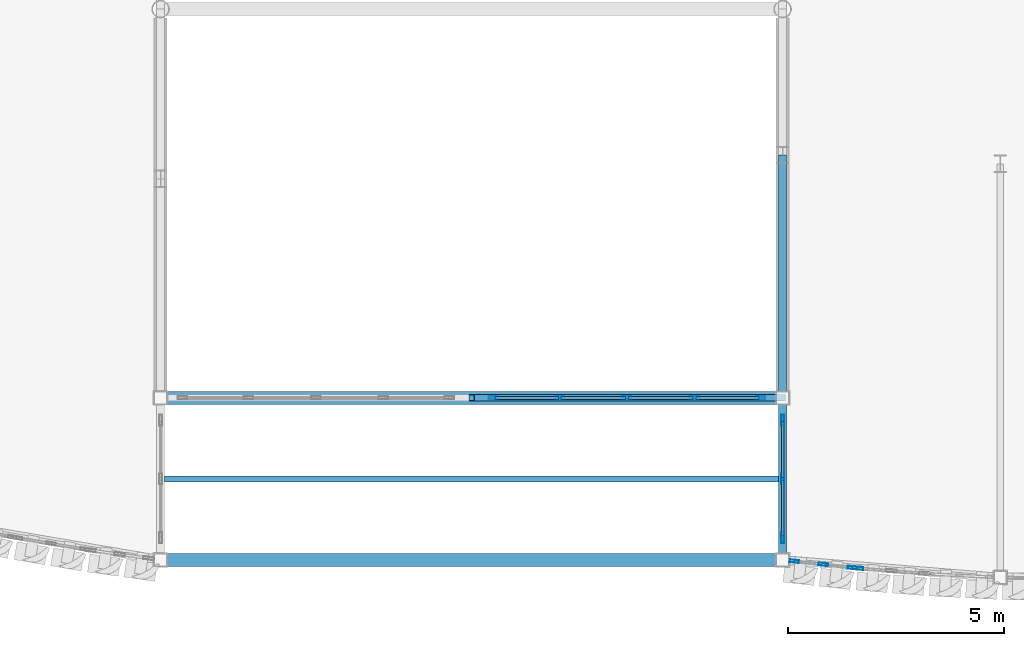
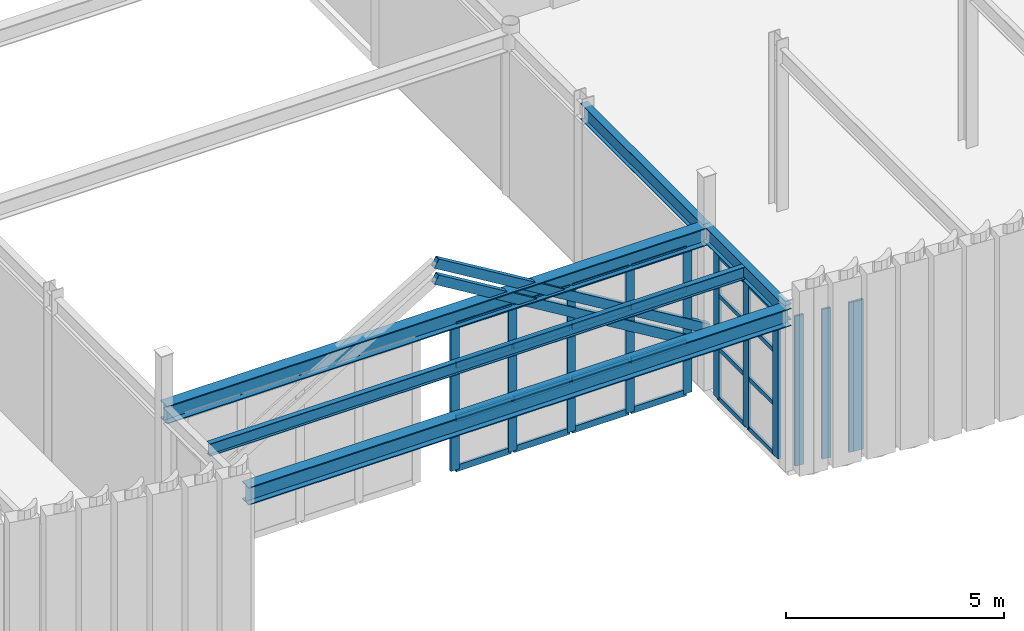
# One storey, part 43 of 126: 38 members, 5 beams, 4 elements without a shape of their own.
"""IFC4 building model written with IfcOpenShell, lengths in metres."""

from ifc_helpers import new_model, si_unit, direction, frame, origin, origin_2d, place, context, subcontext, project, spatial, hollow_rectangle, i_section, extrude, material, layer, layer_set, material_profile, profile_set, type_object, element, aggregate, save


model = new_model("IFC4")

# Units and contexts
model_context = context("Model", 3, precision=1e-05, world=origin(), true_north=direction((0.0, 1.0)))
body_context = subcontext(model_context, "Body", "Model", "MODEL_VIEW")
ifc_project = project(units=[si_unit("LENGTHUNIT", "METRE"), si_unit("AREAUNIT", "SQUARE_METRE"), si_unit("VOLUMEUNIT", "CUBIC_METRE"), si_unit("PLANEANGLEUNIT", "RADIAN"), si_unit("MASSUNIT", "GRAM", prefix="KILO")], contexts=[model_context])

# Site, building, storey
site_placement = place(None, origin())
site = spatial("IfcSite", under=ifc_project, at=site_placement, CompositionType="ELEMENT")
building_placement = place(site_placement, origin())
building = spatial("IfcBuilding", under=site, at=building_placement, Name="Solvadek Multi-Sports Hall", CompositionType="ELEMENT")
storey_placement = place(building_placement, frame((0.0, 0.0, 9.60009765625)))
storey = spatial("IfcBuildingStorey", under=building, at=storey_placement, Name="L02", CompositionType="ELEMENT", Elevation=9.60009765625)

# Curtain wall, members
ifc_material_1 = material(Name="Anodised aluminium", Category="aluminium")
ifc_layer_1 = layer(ifc_material_1, 0.159912109375, Name="Anodised aluminium")
ifc_layer_set_1 = layer_set([ifc_layer_1], Name="Anodised aluminium")
curtain_wall_type_1 = type_object("IfcCurtainWallType", Name="ENV-CW-142X420", PredefinedType="USERDEFINED", material=ifc_layer_set_1)
curtain_wall_1_placement = place(storey_placement, origin())
curtain_wall_1 = element("IfcCurtainWall", 1, at=curtain_wall_1_placement, inside=storey, type_object=curtain_wall_type_1, Name="L02 Crescent Curved Curtain Wall #56", ObjectType="CURTAIN WALL", PredefinedType="USERDEFINED")
ifc_material_profile_1 = material_profile(ifc_material_1, hollow_rectangle(XDim=0.06494140625, YDim=0.219970703125, WallThickness=0.0048828125, at=origin_2d()), Name="ALU-M 220x65x5")
ifc_profile_set_1 = profile_set([ifc_material_profile_1], Name="Anodised aluminium")
member_type_1 = type_object("IfcMemberType", Name="ENV-CWM-04", PredefinedType="MULLION", material=ifc_profile_set_1)
member_1_placement = place(storey_placement, frame((86.6708984375, -12.78271484375, 0.0), z_axis=(0.0, 0.0, 1.0), x_axis=(0.109287601694, 0.994010171032, 0.0)))
member_1 = element("IfcMember", 2, at=member_1_placement, type_object=member_type_1, Name="CW-27 mullion 1", PredefinedType="MULLION", context=body_context, shape_type="SweptSolid", body=[
    extrude(hollow_rectangle(XDim=0.06494140625, YDim=0.219970703125, WallThickness=0.0048828125, at=origin_2d()), origin(), (0.0, 0.0, 1.0), 4.199951171875),
])
member_2_placement = place(storey_placement, frame((87.344482421875, -12.856689453125, 0.0), z_axis=(0.0, 0.0, 1.0), x_axis=(0.109287601694, 0.994010171032, 0.0)))
member_2 = element("IfcMember", 3, at=member_2_placement, type_object=member_type_1, Name="CW-27 mullion 2", PredefinedType="MULLION", context=body_context, shape_type="SweptSolid", body=[
    extrude(hollow_rectangle(XDim=0.06494140625, YDim=0.219970703125, WallThickness=0.0048828125, at=origin_2d()), origin(), (0.0, 0.0, 1.0), 4.199951171875),
])
member_3_placement = place(storey_placement, frame((88.017822265625, -12.9306640625, 0.0), z_axis=(0.0, 0.0, 1.0), x_axis=(0.109287601694, 0.994010171032, 0.0)))
member_3 = element("IfcMember", 4, at=member_3_placement, type_object=member_type_1, Name="CW-27 mullion 3", PredefinedType="MULLION", context=body_context, shape_type="SweptSolid", body=[
    extrude(hollow_rectangle(XDim=0.06494140625, YDim=0.219970703125, WallThickness=0.0048828125, at=origin_2d()), origin(), (0.0, 0.0, 1.0), 4.199951171875),
])
aggregate(curtain_wall_1, [member_1, member_2, member_3])

ifc_layer_2 = layer(ifc_material_1, 0.159912109375, Name="Anodised aluminium")
ifc_layer_set_2 = layer_set([ifc_layer_2], Name="Anodised aluminium")
curtain_wall_type_2 = type_object("IfcCurtainWallType", Name="ENV-CW-624X408", PredefinedType="USERDEFINED", material=ifc_layer_set_2)
curtain_wall_2_placement = place(storey_placement, origin())
curtain_wall_2 = element("IfcCurtainWall", 5, at=curtain_wall_2_placement, inside=storey, type_object=curtain_wall_type_2, Name="L02 Perimeter Bay Curtain Wall #119", ObjectType="CURTAIN WALL", PredefinedType="USERDEFINED")
member_4_placement = place(storey_placement, frame((79.71240234375, -9.0, 0.0), z_axis=(0.0, 0.0, 1.0), x_axis=(0.0, 1.0, 0.0)))
member_4 = element("IfcMember", 6, at=member_4_placement, type_object=member_type_1, Name="CW-40 mullion 1", PredefinedType="MULLION", context=body_context, shape_type="SweptSolid", body=[
    extrude(hollow_rectangle(XDim=0.06494140625, YDim=0.219970703125, WallThickness=0.0048828125, at=origin_2d()), origin(), (0.0, 0.0, 1.0), 4.074951171875),
])
member_5_placement = place(storey_placement, frame((81.239990234375, -9.0, 0.0), z_axis=(0.0, 0.0, 1.0), x_axis=(0.0, 1.0, 0.0)))
member_5 = element("IfcMember", 7, at=member_5_placement, type_object=member_type_1, Name="CW-40 mullion 2", PredefinedType="MULLION", context=body_context, shape_type="SweptSolid", body=[
    extrude(hollow_rectangle(XDim=0.06494140625, YDim=0.219970703125, WallThickness=0.0048828125, at=origin_2d()), origin(), (0.0, 0.0, 1.0), 4.074951171875),
])
member_6_placement = place(storey_placement, frame((82.800048828125, -9.0, 0.0), z_axis=(0.0, 0.0, 1.0), x_axis=(0.0, 1.0, 0.0)))
member_6 = element("IfcMember", 8, at=member_6_placement, type_object=member_type_1, Name="CW-40 mullion 3", PredefinedType="MULLION", context=body_context, shape_type="SweptSolid", body=[
    extrude(hollow_rectangle(XDim=0.06494140625, YDim=0.219970703125, WallThickness=0.0048828125, at=origin_2d()), origin(), (0.0, 0.0, 1.0), 4.074951171875),
])
member_7_placement = place(storey_placement, frame((84.360107421875, -9.0, 0.0), z_axis=(0.0, 0.0, 1.0), x_axis=(0.0, 1.0, 0.0)))
member_7 = element("IfcMember", 9, at=member_7_placement, type_object=member_type_1, Name="CW-40 mullion 4", PredefinedType="MULLION", context=body_context, shape_type="SweptSolid", body=[
    extrude(hollow_rectangle(XDim=0.06494140625, YDim=0.219970703125, WallThickness=0.0048828125, at=origin_2d()), origin(), (0.0, 0.0, 1.0), 4.074951171875),
])
member_8_placement = place(storey_placement, frame((85.887451171875, -9.0, 0.0), z_axis=(0.0, 0.0, 1.0), x_axis=(0.0, 1.0, 0.0)))
member_8 = element("IfcMember", 10, at=member_8_placement, type_object=member_type_1, Name="CW-40 mullion 5", PredefinedType="MULLION", context=body_context, shape_type="SweptSolid", body=[
    extrude(hollow_rectangle(XDim=0.06494140625, YDim=0.219970703125, WallThickness=0.0048828125, at=origin_2d()), origin(), (0.0, 0.0, 1.0), 4.074951171875),
])

# Curtain wall, member
ifc_layer_3 = layer(ifc_material_1, 0.159912109375, Name="Anodised aluminium")
ifc_layer_set_3 = layer_set([ifc_layer_3], Name="Anodised aluminium")
curtain_wall_type_3 = type_object("IfcCurtainWallType", Name="ENV-CW-163X420", PredefinedType="USERDEFINED", material=ifc_layer_set_3)
curtain_wall_3_placement = place(storey_placement, origin())
curtain_wall_3 = element("IfcCurtainWall", 11, at=curtain_wall_3_placement, inside=storey, type_object=curtain_wall_type_3, Name="L02 Crescent Curved Curtain Wall #58", ObjectType="CURTAIN WALL", PredefinedType="USERDEFINED")
ifc_material_profile_2 = material_profile(ifc_material_1, hollow_rectangle(XDim=0.070068359375, YDim=0.25, WallThickness=0.0048828125, at=origin_2d()), Name="ALU-M 250x70x5")
ifc_profile_set_2 = profile_set([ifc_material_profile_2], Name="Anodised aluminium")
member_type_2 = type_object("IfcMemberType", Name="ENV-CWM-05", PredefinedType="MULLION", material=ifc_profile_set_2)
member_9_placement = place(storey_placement, frame((88.144775390625, -12.94287109375, 0.0), z_axis=(0.0, 0.0, 1.0), x_axis=(0.080468973281, 0.996757114015, 0.0)))
member_9 = element("IfcMember", 12, at=member_9_placement, type_object=member_type_2, Name="CW-15 mullion 1", PredefinedType="MULLION", context=body_context, shape_type="SweptSolid", body=[
    extrude(hollow_rectangle(XDim=0.070068359375, YDim=0.25, WallThickness=0.0048828125, at=origin_2d()), origin(), (0.0, 0.0, 1.0), 4.199951171875),
])
aggregate(curtain_wall_3, [member_9])

# Curtain wall, members
ifc_layer_4 = layer(ifc_material_1, 0.159912109375, Name="Anodised aluminium")
ifc_layer_set_4 = layer_set([ifc_layer_4], Name="Anodised aluminium")
curtain_wall_type_4 = type_object("IfcCurtainWallType", Name="ENV-CW-279X405", PredefinedType="USERDEFINED", material=ifc_layer_set_4)
curtain_wall_4_placement = place(storey_placement, origin())
curtain_wall_4 = element("IfcCurtainWall", 13, at=curtain_wall_4_placement, inside=storey, type_object=curtain_wall_type_4, Name="L02 Perimeter Bay Curtain Wall #123", ObjectType="CURTAIN WALL", PredefinedType="USERDEFINED")
member_10_placement = place(storey_placement, frame((86.39990234375, -12.23779296875, 0.0), z_axis=(0.0, 0.0, 1.0), x_axis=(-1.0, 0.0, 0.0)))
member_10 = element("IfcMember", 14, at=member_10_placement, type_object=member_type_2, Name="CW-42 mullion 1", PredefinedType="MULLION", context=body_context, shape_type="SweptSolid", body=[
    extrude(hollow_rectangle(XDim=0.070068359375, YDim=0.25, WallThickness=0.0048828125, at=origin_2d()), origin(), (0.0, 0.0, 1.0), 4.0498046875),
])
member_11_placement = place(storey_placement, frame((86.39990234375, -10.87646484375, 0.0), z_axis=(0.0, 0.0, 1.0), x_axis=(-1.0, 0.0, 0.0)))
member_11 = element("IfcMember", 15, at=member_11_placement, type_object=member_type_2, Name="CW-42 mullion 2", PredefinedType="MULLION", context=body_context, shape_type="SweptSolid", body=[
    extrude(hollow_rectangle(XDim=0.070068359375, YDim=0.25, WallThickness=0.0048828125, at=origin_2d()), origin(), (0.0, 0.0, 1.0), 4.0498046875),
])
member_12_placement = place(storey_placement, frame((86.39990234375, -9.514892578125, 0.0), z_axis=(0.0, 0.0, 1.0), x_axis=(-1.0, 0.0, 0.0)))
member_12 = element("IfcMember", 16, at=member_12_placement, type_object=member_type_2, Name="CW-42 mullion 3", PredefinedType="MULLION", context=body_context, shape_type="SweptSolid", body=[
    extrude(hollow_rectangle(XDim=0.070068359375, YDim=0.25, WallThickness=0.0048828125, at=origin_2d()), origin(), (0.0, 0.0, 1.0), 4.0498046875),
])
ifc_material_profile_3 = material_profile(ifc_material_1, hollow_rectangle(XDim=0.06005859375, YDim=0.1201171875, WallThickness=0.00390625, at=origin_2d()), Name="ALU-T 120x60x4")
ifc_profile_set_3 = profile_set([ifc_material_profile_3], Name="Anodised aluminium")
member_type_3 = type_object("IfcMemberType", Name="ENV-CWT-01", PredefinedType="USERDEFINED", material=ifc_profile_set_3)
member_13_placement = place(storey_placement, frame((86.39990234375, -12.202880859375, 0.02978515625), z_axis=(0.0, 1.0, 0.0), x_axis=(-1.0, 0.0, 0.0)))
member_13 = element("IfcMember", 17, at=member_13_placement, type_object=member_type_3, Name="CW-42 transom 1.1", ObjectType="TRANSOM", PredefinedType="USERDEFINED", context=body_context, shape_type="SweptSolid", body=[
    extrude(hollow_rectangle(XDim=0.06005859375, YDim=0.1201171875, WallThickness=0.00390625, at=origin_2d()), origin(), (0.0, 0.0, 1.0), 1.29150390625),
])
member_14_placement = place(storey_placement, frame((86.39990234375, -12.202880859375, 1.41796875), z_axis=(0.0, 1.0, 0.0), x_axis=(-1.0, 0.0, 0.0)))
member_14 = element("IfcMember", 18, at=member_14_placement, type_object=member_type_3, Name="CW-42 transom 1.2", ObjectType="TRANSOM", PredefinedType="USERDEFINED", context=body_context, shape_type="SweptSolid", body=[
    extrude(hollow_rectangle(XDim=0.06005859375, YDim=0.1201171875, WallThickness=0.00390625, at=origin_2d()), origin(), (0.0, 0.0, 1.0), 1.29150390625),
])
member_15_placement = place(storey_placement, frame((86.39990234375, -12.202880859375, 2.916015625), z_axis=(0.0, 1.0, 0.0), x_axis=(-1.0, 0.0, 0.0)))
member_15 = element("IfcMember", 19, at=member_15_placement, type_object=member_type_3, Name="CW-42 transom 1.3", ObjectType="TRANSOM", PredefinedType="USERDEFINED", context=body_context, shape_type="SweptSolid", body=[
    extrude(hollow_rectangle(XDim=0.06005859375, YDim=0.1201171875, WallThickness=0.00390625, at=origin_2d()), origin(), (0.0, 0.0, 1.0), 1.29150390625),
])
member_16_placement = place(storey_placement, frame((86.39990234375, -12.202880859375, 4.02001953125), z_axis=(0.0, 1.0, 0.0), x_axis=(-1.0, 0.0, 0.0)))
member_16 = element("IfcMember", 20, at=member_16_placement, type_object=member_type_3, Name="CW-42 transom 1.4", ObjectType="TRANSOM", PredefinedType="USERDEFINED", context=body_context, shape_type="SweptSolid", body=[
    extrude(hollow_rectangle(XDim=0.06005859375, YDim=0.1201171875, WallThickness=0.00390625, at=origin_2d()), origin(), (0.0, 0.0, 1.0), 1.29150390625),
])
member_17_placement = place(storey_placement, frame((86.39990234375, -10.841552734375, 0.02978515625), z_axis=(0.0, 1.0, 0.0), x_axis=(-1.0, 0.0, 0.0)))
member_17 = element("IfcMember", 21, at=member_17_placement, type_object=member_type_3, Name="CW-42 transom 2.1", ObjectType="TRANSOM", PredefinedType="USERDEFINED", context=body_context, shape_type="SweptSolid", body=[
    extrude(hollow_rectangle(XDim=0.06005859375, YDim=0.1201171875, WallThickness=0.00390625, at=origin_2d()), origin(), (0.0, 0.0, 1.0), 1.29150390625),
])
member_18_placement = place(storey_placement, frame((86.39990234375, -10.841552734375, 1.41796875), z_axis=(0.0, 1.0, 0.0), x_axis=(-1.0, 0.0, 0.0)))
member_18 = element("IfcMember", 22, at=member_18_placement, type_object=member_type_3, Name="CW-42 transom 2.2", ObjectType="TRANSOM", PredefinedType="USERDEFINED", context=body_context, shape_type="SweptSolid", body=[
    extrude(hollow_rectangle(XDim=0.06005859375, YDim=0.1201171875, WallThickness=0.00390625, at=origin_2d()), origin(), (0.0, 0.0, 1.0), 1.29150390625),
])
member_19_placement = place(storey_placement, frame((86.39990234375, -10.841552734375, 2.916015625), z_axis=(0.0, 1.0, 0.0), x_axis=(-1.0, 0.0, 0.0)))
member_19 = element("IfcMember", 23, at=member_19_placement, type_object=member_type_3, Name="CW-42 transom 2.3", ObjectType="TRANSOM", PredefinedType="USERDEFINED", context=body_context, shape_type="SweptSolid", body=[
    extrude(hollow_rectangle(XDim=0.06005859375, YDim=0.1201171875, WallThickness=0.00390625, at=origin_2d()), origin(), (0.0, 0.0, 1.0), 1.29150390625),
])
member_20_placement = place(storey_placement, frame((86.39990234375, -10.841552734375, 4.02001953125), z_axis=(0.0, 1.0, 0.0), x_axis=(-1.0, 0.0, 0.0)))
member_20 = element("IfcMember", 24, at=member_20_placement, type_object=member_type_3, Name="CW-42 transom 2.4", ObjectType="TRANSOM", PredefinedType="USERDEFINED", context=body_context, shape_type="SweptSolid", body=[
    extrude(hollow_rectangle(XDim=0.06005859375, YDim=0.1201171875, WallThickness=0.00390625, at=origin_2d()), origin(), (0.0, 0.0, 1.0), 1.29150390625),
])
aggregate(curtain_wall_4, [member_10, member_11, member_12, member_13, member_14, member_15, member_16, member_17, member_18, member_19, member_20])

# Member
ifc_material_profile_4 = material_profile(ifc_material_1, hollow_rectangle(XDim=0.06494140625, YDim=0.179931640625, WallThickness=0.0048828125, at=origin_2d()), Name="ALU-T 180x65x5")
ifc_profile_set_4 = profile_set([ifc_material_profile_4], Name="Anodised aluminium")
member_type_4 = type_object("IfcMemberType", Name="ENV-CWT-04", PredefinedType="USERDEFINED", material=ifc_profile_set_4)
member_21_placement = place(storey_placement, frame((79.7451171875, -9.0, 0.032470703125), z_axis=(1.0, 0.0, 0.0), x_axis=(0.0, 1.0, 0.0)))
member_21 = element("IfcMember", 25, at=member_21_placement, type_object=member_type_4, Name="CW-40 transom 1.1", ObjectType="TRANSOM", PredefinedType="USERDEFINED", context=body_context, shape_type="SweptSolid", body=[
    extrude(hollow_rectangle(XDim=0.06494140625, YDim=0.179931640625, WallThickness=0.0048828125, at=origin_2d()), origin(), (0.0, 0.0, 1.0), 1.46240234375),
])

member_22_placement = place(storey_placement, frame((79.7451171875, -9.0, 1.42578125), z_axis=(1.0, 0.0, 0.0), x_axis=(0.0, 1.0, 0.0)))
member_22 = element("IfcMember", 26, at=member_22_placement, type_object=member_type_4, Name="CW-40 transom 1.2", ObjectType="TRANSOM", PredefinedType="USERDEFINED", context=body_context, shape_type="SweptSolid", body=[
    extrude(hollow_rectangle(XDim=0.06494140625, YDim=0.179931640625, WallThickness=0.0048828125, at=origin_2d()), origin(), (0.0, 0.0, 1.0), 1.46240234375),
])

member_23_placement = place(storey_placement, frame((79.7451171875, -9.0, 2.933837890625), z_axis=(1.0, 0.0, 0.0), x_axis=(0.0, 1.0, 0.0)))
member_23 = element("IfcMember", 27, at=member_23_placement, type_object=member_type_4, Name="CW-40 transom 1.3", ObjectType="TRANSOM", PredefinedType="USERDEFINED", context=body_context, shape_type="SweptSolid", body=[
    extrude(hollow_rectangle(XDim=0.06494140625, YDim=0.179931640625, WallThickness=0.0048828125, at=origin_2d()), origin(), (0.0, 0.0, 1.0), 1.46240234375),
])

member_24_placement = place(storey_placement, frame((79.7451171875, -9.0, 4.04248046875), z_axis=(1.0, 0.0, 0.0), x_axis=(0.0, 1.0, 0.0)))
member_24 = element("IfcMember", 28, at=member_24_placement, type_object=member_type_4, Name="CW-40 transom 1.4", ObjectType="TRANSOM", PredefinedType="USERDEFINED", context=body_context, shape_type="SweptSolid", body=[
    extrude(hollow_rectangle(XDim=0.06494140625, YDim=0.179931640625, WallThickness=0.0048828125, at=origin_2d()), origin(), (0.0, 0.0, 1.0), 1.46240234375),
])

member_25_placement = place(storey_placement, frame((81.2724609375, -9.0, 0.032470703125), z_axis=(1.0, 0.0, 0.0), x_axis=(0.0, 1.0, 0.0)))
member_25 = element("IfcMember", 29, at=member_25_placement, type_object=member_type_4, Name="CW-40 transom 2.1", ObjectType="TRANSOM", PredefinedType="USERDEFINED", context=body_context, shape_type="SweptSolid", body=[
    extrude(hollow_rectangle(XDim=0.06494140625, YDim=0.179931640625, WallThickness=0.0048828125, at=origin_2d()), origin(), (0.0, 0.0, 1.0), 1.4951171875),
])

member_26_placement = place(storey_placement, frame((81.2724609375, -9.0, 1.42578125), z_axis=(1.0, 0.0, 0.0), x_axis=(0.0, 1.0, 0.0)))
member_26 = element("IfcMember", 30, at=member_26_placement, type_object=member_type_4, Name="CW-40 transom 2.2", ObjectType="TRANSOM", PredefinedType="USERDEFINED", context=body_context, shape_type="SweptSolid", body=[
    extrude(hollow_rectangle(XDim=0.06494140625, YDim=0.179931640625, WallThickness=0.0048828125, at=origin_2d()), origin(), (0.0, 0.0, 1.0), 1.4951171875),
])

member_27_placement = place(storey_placement, frame((81.2724609375, -9.0, 2.933837890625), z_axis=(1.0, 0.0, 0.0), x_axis=(0.0, 1.0, 0.0)))
member_27 = element("IfcMember", 31, at=member_27_placement, type_object=member_type_4, Name="CW-40 transom 2.3", ObjectType="TRANSOM", PredefinedType="USERDEFINED", context=body_context, shape_type="SweptSolid", body=[
    extrude(hollow_rectangle(XDim=0.06494140625, YDim=0.179931640625, WallThickness=0.0048828125, at=origin_2d()), origin(), (0.0, 0.0, 1.0), 1.4951171875),
])

member_28_placement = place(storey_placement, frame((81.2724609375, -9.0, 4.04248046875), z_axis=(1.0, 0.0, 0.0), x_axis=(0.0, 1.0, 0.0)))
member_28 = element("IfcMember", 32, at=member_28_placement, type_object=member_type_4, Name="CW-40 transom 2.4", ObjectType="TRANSOM", PredefinedType="USERDEFINED", context=body_context, shape_type="SweptSolid", body=[
    extrude(hollow_rectangle(XDim=0.06494140625, YDim=0.179931640625, WallThickness=0.0048828125, at=origin_2d()), origin(), (0.0, 0.0, 1.0), 1.4951171875),
])

member_29_placement = place(storey_placement, frame((82.83251953125, -9.0, 0.032470703125), z_axis=(1.0, 0.0, 0.0), x_axis=(0.0, 1.0, 0.0)))
member_29 = element("IfcMember", 33, at=member_29_placement, type_object=member_type_4, Name="CW-40 transom 3.1", ObjectType="TRANSOM", PredefinedType="USERDEFINED", context=body_context, shape_type="SweptSolid", body=[
    extrude(hollow_rectangle(XDim=0.06494140625, YDim=0.179931640625, WallThickness=0.0048828125, at=origin_2d()), origin(), (0.0, 0.0, 1.0), 1.494873046875),
])

member_30_placement = place(storey_placement, frame((82.83251953125, -9.0, 1.42578125), z_axis=(1.0, 0.0, 0.0), x_axis=(0.0, 1.0, 0.0)))
member_30 = element("IfcMember", 34, at=member_30_placement, type_object=member_type_4, Name="CW-40 transom 3.2", ObjectType="TRANSOM", PredefinedType="USERDEFINED", context=body_context, shape_type="SweptSolid", body=[
    extrude(hollow_rectangle(XDim=0.06494140625, YDim=0.179931640625, WallThickness=0.0048828125, at=origin_2d()), origin(), (0.0, 0.0, 1.0), 1.494873046875),
])

member_31_placement = place(storey_placement, frame((82.83251953125, -9.0, 2.933837890625), z_axis=(1.0, 0.0, 0.0), x_axis=(0.0, 1.0, 0.0)))
member_31 = element("IfcMember", 35, at=member_31_placement, type_object=member_type_4, Name="CW-40 transom 3.3", ObjectType="TRANSOM", PredefinedType="USERDEFINED", context=body_context, shape_type="SweptSolid", body=[
    extrude(hollow_rectangle(XDim=0.06494140625, YDim=0.179931640625, WallThickness=0.0048828125, at=origin_2d()), origin(), (0.0, 0.0, 1.0), 1.494873046875),
])

member_32_placement = place(storey_placement, frame((82.83251953125, -9.0, 4.04248046875), z_axis=(1.0, 0.0, 0.0), x_axis=(0.0, 1.0, 0.0)))
member_32 = element("IfcMember", 36, at=member_32_placement, type_object=member_type_4, Name="CW-40 transom 3.4", ObjectType="TRANSOM", PredefinedType="USERDEFINED", context=body_context, shape_type="SweptSolid", body=[
    extrude(hollow_rectangle(XDim=0.06494140625, YDim=0.179931640625, WallThickness=0.0048828125, at=origin_2d()), origin(), (0.0, 0.0, 1.0), 1.494873046875),
])

member_33_placement = place(storey_placement, frame((84.392578125, -9.0, 0.032470703125), z_axis=(1.0, 0.0, 0.0), x_axis=(0.0, 1.0, 0.0)))
member_33 = element("IfcMember", 37, at=member_33_placement, type_object=member_type_4, Name="CW-40 transom 4.1", ObjectType="TRANSOM", PredefinedType="USERDEFINED", context=body_context, shape_type="SweptSolid", body=[
    extrude(hollow_rectangle(XDim=0.06494140625, YDim=0.179931640625, WallThickness=0.0048828125, at=origin_2d()), origin(), (0.0, 0.0, 1.0), 1.46240234375),
])

member_34_placement = place(storey_placement, frame((84.392578125, -9.0, 1.42578125), z_axis=(1.0, 0.0, 0.0), x_axis=(0.0, 1.0, 0.0)))
member_34 = element("IfcMember", 38, at=member_34_placement, type_object=member_type_4, Name="CW-40 transom 4.2", ObjectType="TRANSOM", PredefinedType="USERDEFINED", context=body_context, shape_type="SweptSolid", body=[
    extrude(hollow_rectangle(XDim=0.06494140625, YDim=0.179931640625, WallThickness=0.0048828125, at=origin_2d()), origin(), (0.0, 0.0, 1.0), 1.46240234375),
])

member_35_placement = place(storey_placement, frame((84.392578125, -9.0, 2.933837890625), z_axis=(1.0, 0.0, 0.0), x_axis=(0.0, 1.0, 0.0)))
member_35 = element("IfcMember", 39, at=member_35_placement, type_object=member_type_4, Name="CW-40 transom 4.3", ObjectType="TRANSOM", PredefinedType="USERDEFINED", context=body_context, shape_type="SweptSolid", body=[
    extrude(hollow_rectangle(XDim=0.06494140625, YDim=0.179931640625, WallThickness=0.0048828125, at=origin_2d()), origin(), (0.0, 0.0, 1.0), 1.46240234375),
])

member_36_placement = place(storey_placement, frame((84.392578125, -9.0, 4.04248046875), z_axis=(1.0, 0.0, 0.0), x_axis=(0.0, 1.0, 0.0)))
member_36 = element("IfcMember", 40, at=member_36_placement, type_object=member_type_4, Name="CW-40 transom 4.4", ObjectType="TRANSOM", PredefinedType="USERDEFINED", context=body_context, shape_type="SweptSolid", body=[
    extrude(hollow_rectangle(XDim=0.06494140625, YDim=0.179931640625, WallThickness=0.0048828125, at=origin_2d()), origin(), (0.0, 0.0, 1.0), 1.46240234375),
])

aggregate(curtain_wall_2, [member_4, member_5, member_6, member_7, member_8, member_21, member_22, member_23, member_24, member_25, member_26, member_27, member_28, member_29, member_30, member_31, member_32, member_33, member_34, member_35, member_36])

# Members
ifc_material_2 = material(Name="Steel E350 (350 MPa)", Category="steel")
ifc_material_profile_5 = material_profile(ifc_material_2, hollow_rectangle(XDim=0.14990234375, YDim=0.25, WallThickness=0.010009765625, at=origin_2d()), Name="RHS 250x150x10")
ifc_profile_set_5 = profile_set([ifc_material_profile_5], Name="Steel E350 (350 MPa)")
member_type_5 = type_object("IfcMemberType", Name="STR-ARC-RHS250", PredefinedType="USERDEFINED", material=ifc_profile_set_5)
member_37_placement = place(storey_placement, frame((79.199951171875, -9.0, 5.5498046875), z_axis=(0.855921697192, 0.0, -0.517105451795), x_axis=(0.0, 1.0, 0.0)))
element("IfcMember", 41, at=member_37_placement, inside=storey, type_object=member_type_5, Name="Ottoman Tackapi Portal Pointed Arch S-R", ObjectType="ARCH_SEGMENT", PredefinedType="USERDEFINED", context=body_context, shape_type="SweptSolid", body=[
    extrude(hollow_rectangle(XDim=0.14990234375, YDim=0.25, WallThickness=0.010009765625, at=origin_2d()), origin(), (0.0, 0.0, 1.0), 8.411865234375),
])
member_38_placement = place(storey_placement, frame((79.199951171875, -9.0, 6.0), z_axis=(0.855908851423, 0.0, -0.517126713732), x_axis=(0.0, 1.0, 0.0)))
element("IfcMember", 42, at=member_38_placement, inside=storey, type_object=member_type_5, Name="Ottoman Tackapi Portal Pointed Arch S-R", ObjectType="ARCH_SEGMENT", PredefinedType="USERDEFINED", context=body_context, shape_type="SweptSolid", body=[
    extrude(hollow_rectangle(XDim=0.14990234375, YDim=0.25, WallThickness=0.010009765625, at=origin_2d()), origin(), (0.0, 0.0, 1.0), 8.412109375),
])

# Beams
ifc_material_profile_6 = material_profile(ifc_material_2, i_section(OverallWidth=0.18994140625, OverallDepth=0.449951171875, WebThickness=0.009521484375, FlangeThickness=0.0146484375, at=origin_2d()), Name="NPB 450")
ifc_profile_set_6 = profile_set([ifc_material_profile_6], Name="Steel E350 (350 MPa)")
beam_type_1 = type_object("IfcBeamType", Name="STR-BM-NPB450", PredefinedType="BEAM", material=ifc_profile_set_6)
beam_1_placement = place(storey_placement, frame((86.39990234375, -12.7529296875, 4.3349609375), z_axis=(0.0, 1.0, 0.0), x_axis=(-1.0, 0.0, 0.0)))
element("IfcBeam", 43, at=beam_1_placement, inside=storey, type_object=beam_type_1, Name="L02 Girder B-08 #1572", PredefinedType="BEAM", context=body_context, shape_type="SweptSolid", body=[
    extrude(i_section(OverallWidth=0.18994140625, OverallDepth=0.449951171875, WebThickness=0.009521484375, FlangeThickness=0.0146484375, at=origin_2d()), origin(), (0.0, 0.0, 1.0), 3.7529296875),
])
beam_2_placement = place(storey_placement, frame((86.39990234375, -9.0, 4.3349609375), z_axis=(0.0, 1.0, 0.0), x_axis=(-1.0, 0.0, 0.0)))
element("IfcBeam", 44, at=beam_2_placement, inside=storey, type_object=beam_type_1, Name="L02 Girder B-08 #1573", PredefinedType="BEAM", context=body_context, shape_type="SweptSolid", body=[
    extrude(i_section(OverallWidth=0.18994140625, OverallDepth=0.449951171875, WebThickness=0.009521484375, FlangeThickness=0.0146484375, at=origin_2d()), origin(), (0.0, 0.0, 1.0), 5.62353515625),
])
ifc_material_profile_7 = material_profile(ifc_material_2, i_section(OverallWidth=0.139892578125, OverallDepth=0.35009765625, WebThickness=0.008056640625, FlangeThickness=0.01416015625, at=origin_2d()), Name="ISMB 350")
ifc_profile_set_7 = profile_set([ifc_material_profile_7], Name="Steel E350 (350 MPa)")
beam_type_2 = type_object("IfcBeamType", Name="STR-JST-ISMB350", PredefinedType="JOIST", material=ifc_profile_set_7)
beam_3_placement = place(storey_placement, frame((72.094970703125, -10.8779296875, 4.385009765625), z_axis=(1.0, 0.0, 0.0), x_axis=(0.0, 1.0, 0.0)))
element("IfcBeam", 45, at=beam_3_placement, inside=storey, type_object=beam_type_2, Name="L02 Composite Joist J-01 #758", PredefinedType="JOIST", context=body_context, shape_type="SweptSolid", body=[
    extrude(i_section(OverallWidth=0.139892578125, OverallDepth=0.35009765625, WebThickness=0.008056640625, FlangeThickness=0.01416015625, at=origin_2d()), origin(), (0.0, 0.0, 1.0), 14.2099609375),
])
ifc_material_profile_8 = material_profile(ifc_material_2, i_section(OverallWidth=0.300048828125, OverallDepth=0.5, WebThickness=0.014404296875, FlangeThickness=0.028076171875, at=origin_2d()), Name="WPB 500")
ifc_profile_set_8 = profile_set([ifc_material_profile_8], Name="Steel E350 (350 MPa)")
beam_type_3 = type_object("IfcBeamType", Name="STR-SPN-WPB500", PredefinedType="SPANDREL", material=ifc_profile_set_8)
for number, where, z_axis, x_axis, name in (
    (46, (72.0, -12.7529296875, 4.309814453125), (1.0, 0.0, 0.0), (0.0, 1.0, 0.0), "L02 Girder SP-01 #1309"),
    (47, (72.0, -9.0, 4.309814453125), (1.0, 0.0, 0.0), (0.0, 1.0, 0.0), "L02 Girder SP-01 #1310"),
):
    element("IfcBeam", number, at=place(storey_placement, frame(where, z_axis=z_axis, x_axis=x_axis)), inside=storey, type_object=beam_type_3, Name=name, PredefinedType="SPANDREL", context=body_context, shape_type="SweptSolid", body=[
        extrude(i_section(OverallWidth=0.300048828125, OverallDepth=0.5, WebThickness=0.014404296875, FlangeThickness=0.028076171875, at=origin_2d()), origin(), (0.0, 0.0, 1.0), 14.39990234375),
    ])

save(model, "model.ifc")
